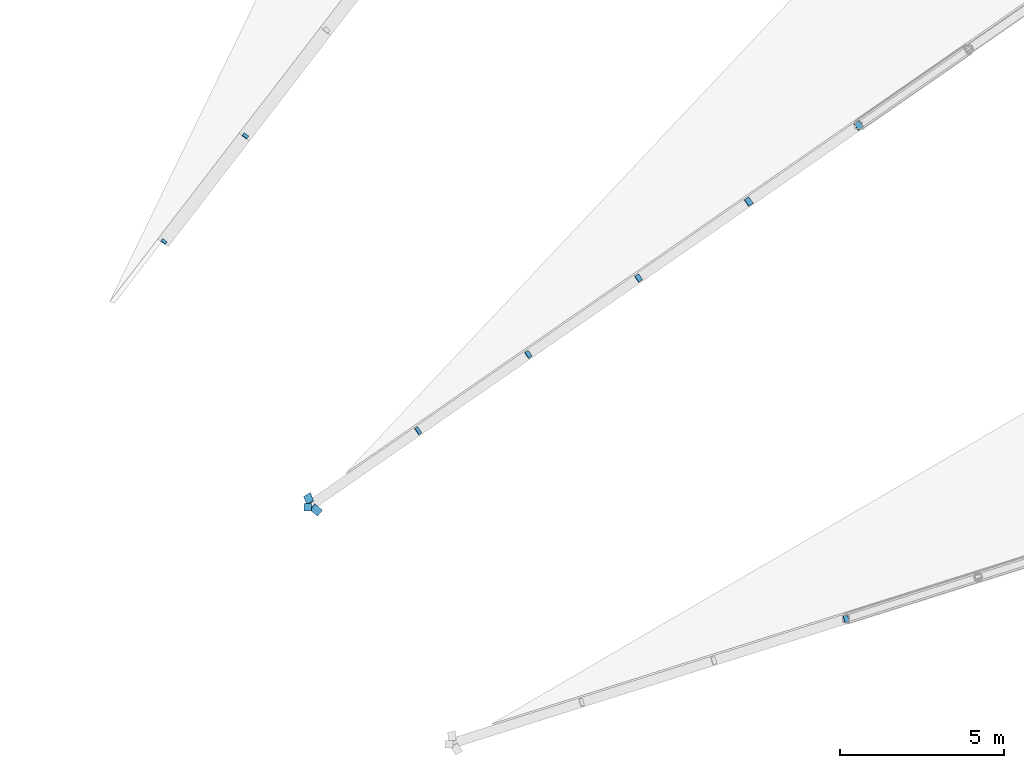
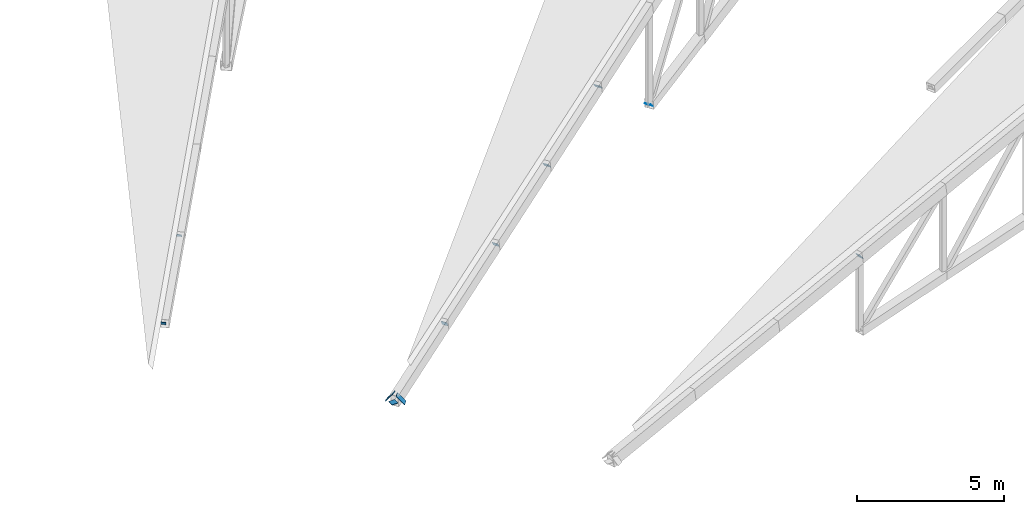
# One storey, part 178 of 188: 11 discrete accessories.
"""IFC4 building model written with IfcOpenShell, lengths in metres."""

from ifc_helpers import new_model, si_unit, direction, frame, origin, origin_2d, place, context, subcontext, project, spatial, rectangle, extrude, material, material_profile, profile_set, type_object, element, save


model = new_model("IFC4")

# Units and contexts
model_context = context("Model", 3, precision=1e-05, world=origin(), true_north=direction((0.0, 1.0)))
body_context = subcontext(model_context, "Body", "Model", "MODEL_VIEW")
ifc_project = project(units=[si_unit("LENGTHUNIT", "METRE"), si_unit("AREAUNIT", "SQUARE_METRE"), si_unit("VOLUMEUNIT", "CUBIC_METRE"), si_unit("PLANEANGLEUNIT", "RADIAN"), si_unit("MASSUNIT", "GRAM", prefix="KILO")], contexts=[model_context])

# Site, building, storey
site_placement = place(None, origin())
site = spatial("IfcSite", under=ifc_project, at=site_placement, CompositionType="ELEMENT")
building_placement = place(site_placement, origin())
building = spatial("IfcBuilding", under=site, at=building_placement, Name="Meseta Stadium", CompositionType="ELEMENT")
storey_placement = place(building_placement, frame((0.0, 0.0, 30.0)))
storey = spatial("IfcBuildingStorey", under=building, at=storey_placement, Name="ROOF", CompositionType="ELEMENT", Elevation=30.0)

# Discrete accessories
ifc_material_1 = material(Name="Steel S355", Category="steel")
ifc_material_profile_1 = material_profile(ifc_material_1, rectangle(XDim=0.179931640625, YDim=0.179931640625, at=origin_2d()), Name="PL 180x180")
ifc_profile_set_1 = profile_set([ifc_material_profile_1], Name="Steel S355")
discrete_accessory_type_1 = type_object("IfcDiscreteAccessoryType", Name="End plate 180x180x20", PredefinedType="ANCHORPLATE", material=ifc_profile_set_1)
for number, where, z_axis, x_axis, name in (
    (1, (37.197509765625, 67.04638671875, 1.214599609375), (0.534167856064, 0.691990177174, 0.485607141877), (-0.791590320973, 0.611052177593, 0.0), "End plate of ROOF TRUSS RT-14 diagonal"),
    (2, (39.672607421875, 70.265380859375, 2.05078125), (0.500409485234, 0.659075907382, 0.561435032214), (-0.79644631635, 0.604709240191, 0.0), "End plate of ROOF TRUSS RT-14 diagonal"),
):
    element("IfcDiscreteAccessory", number, at=place(storey_placement, frame(where, z_axis=z_axis, x_axis=x_axis)), inside=storey, type_object=discrete_accessory_type_1, Name=name, PredefinedType="ANCHORPLATE", context=body_context, shape_type="SweptSolid", body=[
        extrude(rectangle(XDim=0.179931640625, YDim=0.179931640625, at=origin_2d()), origin(), (0.0, 0.0, 1.0), 0.02001953125),
    ])
ifc_material_2 = material(Name="Steel S355", Category="steel")
ifc_material_profile_2 = material_profile(ifc_material_2, rectangle(XDim=0.219970703125, YDim=0.219970703125, at=origin_2d()), Name="PL 220x220")
ifc_profile_set_2 = profile_set([ifc_material_profile_2], Name="Steel S355")
discrete_accessory_type_2 = type_object("IfcDiscreteAccessoryType", Name="End plate 220x220x20", PredefinedType="ANCHORPLATE", material=ifc_profile_set_2)
for number, where, z_axis, x_axis, name in (
    (3, (57.962158203125, 55.563232421875, 3.7060546875), (0.760140358349, 0.241314399476, 0.60328599869), (-0.302579132427, 0.953124267145, 0.0), "End plate of ROOF TRUSS RT-10 diagonal"),
    (4, (44.9345703125, 61.28857421875, 1.99267578125), (0.727179248346, 0.509025473842, 0.460546857286), (-0.573462344363, 0.819231920519, 0.0), "End plate of ROOF TRUSS RT-12 diagonal"),
):
    element("IfcDiscreteAccessory", number, at=place(storey_placement, frame(where, z_axis=z_axis, x_axis=x_axis)), inside=storey, type_object=discrete_accessory_type_2, Name=name, PredefinedType="ANCHORPLATE", context=body_context, shape_type="SweptSolid", body=[
        extrude(rectangle(XDim=0.219970703125, YDim=0.219970703125, at=origin_2d()), origin(), (0.0, 0.0, 1.0), 0.020263671875),
    ])
for number, where, z_axis, x_axis, name in (
    (5, (48.289794921875, 63.61376953125, 2.6962890625), (0.685069750249, 0.477102147495, 0.550502477878), (-0.57149375376, 0.820606415655, 0.0), "End plate of ROOF TRUSS RT-12 diagonal"),
    (6, (51.644775390625, 65.938720703125, 3.39990234375), (0.648563736756, 0.452770910566, 0.611852581845), (-0.572423567845, 0.81995808367, 0.0), "End plate of ROOF TRUSS RT-12 diagonal"),
):
    element("IfcDiscreteAccessory", number, at=place(storey_placement, frame(where, z_axis=z_axis, x_axis=x_axis)), inside=storey, type_object=discrete_accessory_type_2, Name=name, PredefinedType="ANCHORPLATE", context=body_context, shape_type="SweptSolid", body=[
        extrude(rectangle(XDim=0.219970703125, YDim=0.219970703125, at=origin_2d()), origin(), (0.0, 0.0, 1.0), 0.02001953125),
    ])
ifc_material_3 = material(Name="Steel S355", Category="steel")
ifc_material_profile_3 = material_profile(ifc_material_3, rectangle(XDim=0.239990234375, YDim=0.239990234375, at=origin_2d()), Name="PL 240x240")
ifc_profile_set_3 = profile_set([ifc_material_profile_3], Name="Steel S355")
discrete_accessory_type_3 = type_object("IfcDiscreteAccessoryType", Name="End plate 240x240x20", PredefinedType="ANCHORPLATE", material=ifc_profile_set_3)
for number, where, z_axis, x_axis, name in (
    (7, (41.57958984375, 58.963623046875, 1.2890625), (0.0, 0.0, 1.0), (1.0, 0.0, 0.0), "End plate of ROOF TRUSS RT-12 post"),
    (8, (55.0, 68.263671875, 4.103515625), (0.60858061945, 0.426006433615, 0.669438681395), (-0.573462344363, 0.819231920519, 0.0), "End plate of ROOF TRUSS RT-12 diagonal"),
    (9, (58.34423828125, 70.581298828125, 0.768310546875), (0.535908336511, 0.377571782542, 0.755143565083), (-0.575953532433, 0.817482433131, 0.0), "End plate of ROOF TRUSS RT-12 diagonal"),
):
    element("IfcDiscreteAccessory", number, at=place(storey_placement, frame(where, z_axis=z_axis, x_axis=x_axis)), inside=storey, type_object=discrete_accessory_type_3, Name=name, PredefinedType="ANCHORPLATE", context=body_context, shape_type="SweptSolid", body=[
        extrude(rectangle(XDim=0.239990234375, YDim=0.239990234375, at=origin_2d()), origin(), (0.0, 0.0, 1.0), 0.02001953125),
    ])
ifc_material_4 = material(Name="Steel S355", Category="steel")
ifc_material_profile_4 = material_profile(ifc_material_4, rectangle(XDim=0.239990234375, YDim=0.43994140625, at=origin_2d()), Name="PL 240x440")
ifc_profile_set_4 = profile_set([ifc_material_profile_4], Name="Steel S355")
discrete_accessory_type_4 = type_object("IfcDiscreteAccessoryType", Name="End plate 240x440x20", PredefinedType="ANCHORPLATE", material=ifc_profile_set_4)
for number, where, z_axis, x_axis, name in (
    (10, (41.613037109375, 59.21533203125, 1.396728515625), (-0.475362383172, 0.646005289952, 0.597250173729), (-0.851185243327, -0.50939399673, -0.126496789042), "End plate of TIP RING BEAM 12"),
    (11, (41.840576171875, 58.87841796875, 1.414306640625), (-0.551825405536, 0.490511471588, -0.674453273433), (-0.655892268865, -0.754754725282, -0.012273398406), "End plate of TIP RING BEAM 13"),
):
    element("IfcDiscreteAccessory", number, at=place(storey_placement, frame(where, z_axis=z_axis, x_axis=x_axis)), inside=storey, type_object=discrete_accessory_type_4, Name=name, PredefinedType="ANCHORPLATE", context=body_context, shape_type="SweptSolid", body=[
        extrude(rectangle(XDim=0.239990234375, YDim=0.43994140625, at=origin_2d()), origin(), (0.0, 0.0, 1.0), 0.02001953125),
    ])

save(model, "model.ifc")
